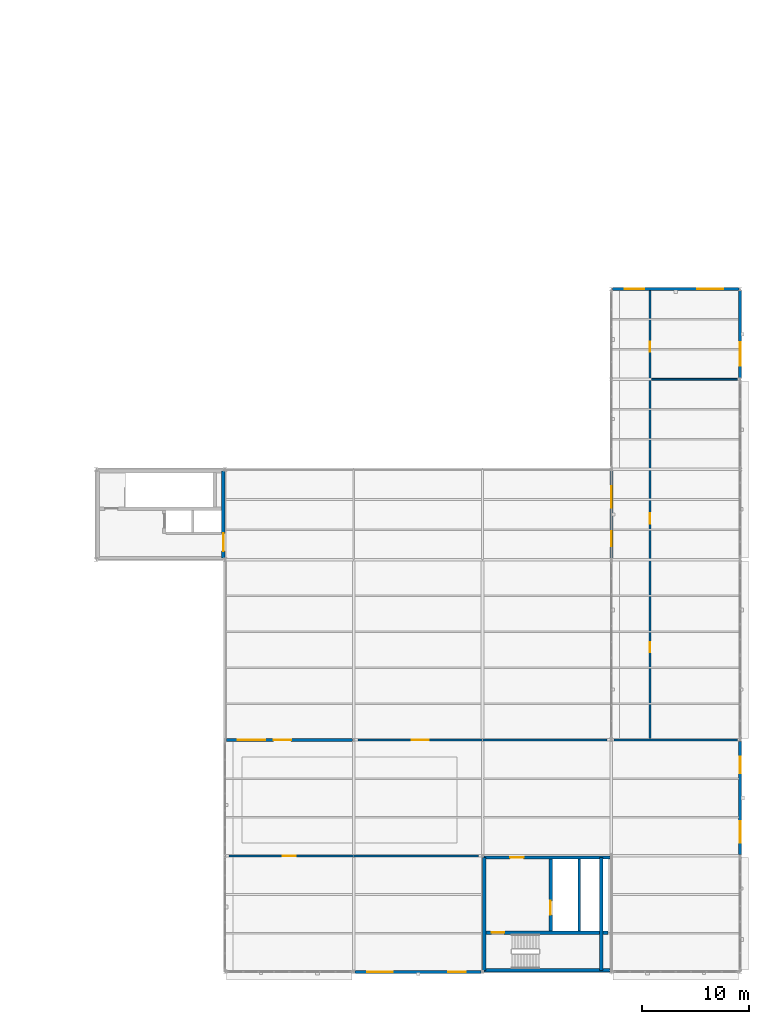
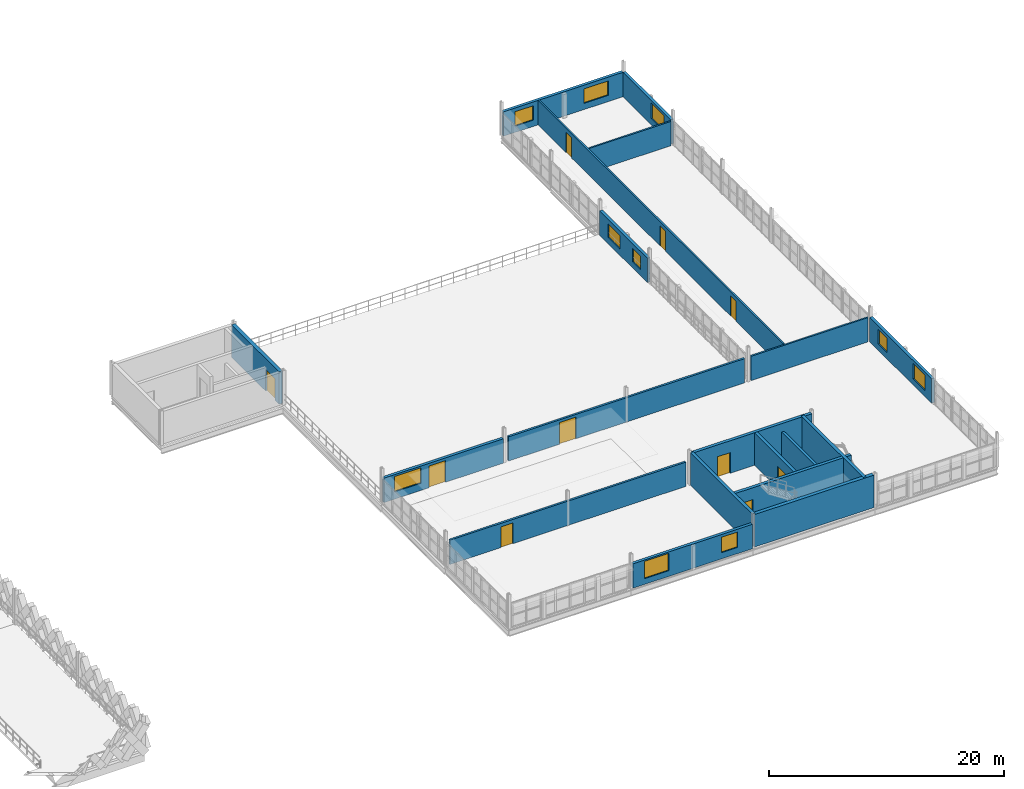
# One storey, part 62 of 74: 19 walls, 10 doors, 10 windows, 20 openings.
"""IFC4 building model written with IfcOpenShell, lengths in metres."""

from ifc_helpers import new_model, si_unit, direction, frame, frame_2d, origin, place, context, subcontext, project, spatial, rectangle, extrude, material, layer, layer_set, type_object, element, fill, save


model = new_model("IFC4")

# Units and contexts
model_context = context("Model", 3, precision=1e-05, world=origin(), true_north=direction((0.0, 1.0)))
body_context = subcontext(model_context, "Body", "Model", "MODEL_VIEW")
ifc_project = project(units=[si_unit("LENGTHUNIT", "METRE"), si_unit("AREAUNIT", "SQUARE_METRE"), si_unit("VOLUMEUNIT", "CUBIC_METRE"), si_unit("PLANEANGLEUNIT", "RADIAN"), si_unit("MASSUNIT", "GRAM", prefix="KILO"), si_unit("THERMODYNAMICTEMPERATUREUNIT", "KELVIN"), si_unit("POWERUNIT", "WATT")], contexts=[model_context])

# Site, building, storey
site_placement = place(None, origin())
site = spatial("IfcSite", under=ifc_project, at=site_placement, CompositionType="ELEMENT")
building_placement = place(site_placement, origin())
building = spatial("IfcBuilding", under=site, at=building_placement, Name="Tembeka Court Mobility Hub", CompositionType="ELEMENT")
storey_placement = place(building_placement, frame((0.0, 0.0, 12.60009765625)))
storey = spatial("IfcBuildingStorey", under=building, at=storey_placement, Name="L03", CompositionType="ELEMENT", Elevation=12.60009765625)

# Wall, openings, door, window
ifc_material_1 = material(Name="Precast concrete C45/55", Category="concrete")
ifc_layer_1 = layer(ifc_material_1, 0.280029296875)
ifc_layer_set_1 = layer_set([ifc_layer_1], Name="Precast concrete C45/55")
wall_type_1 = type_object("IfcWallType", Name="WL-EW02", PredefinedType="STANDARD", material=ifc_layer_set_1)
wall_1_placement = place(storey_placement, frame((128.52587890625, 21.60009765625, 0.0), z_axis=(0.0, 0.0, 1.0), x_axis=(1.0, 0.0, 0.0)))
wall_1 = element("IfcWall", 1, at=wall_1_placement, inside=storey, type_object=wall_type_1, Name="External wall EW02 (EW-L03-0099)", PredefinedType="STANDARD", context=body_context, shape_type="SweptSolid", body=[
    extrude(rectangle(XDim=11.748046875, YDim=0.280029296875, at=frame_2d((5.8740234375, 0.0))), origin(), (0.0, 0.0, 1.0), 2.534912109375),
])
opening_1_placement = place(wall_1_placement, frame((4.39990234375, 0.0, 0.0)))
opening_1 = element("IfcOpeningElement", 2, at=opening_1_placement, cuts=wall_1, Name="Opening ED02", PredefinedType="OPENING", context=body_context, shape_type="SweptSolid", body=[
    extrude(rectangle(XDim=1.64990234375, YDim=2.25, at=frame_2d((0.824951171875, 1.125))), frame((0.0, 0.14990234375, 0.0), z_axis=(0.0, -1.0, 0.0), x_axis=(1.0, 0.0, 0.0)), (0.0, 0.0, 1.0), 0.300048828125),
])
opening_2_placement = place(wall_1_placement, frame((1.050048828125, 0.0, 0.75)))
opening_2 = element("IfcOpeningElement", 3, at=opening_2_placement, cuts=wall_1, Name="Opening WN12", PredefinedType="OPENING", context=body_context, shape_type="SweptSolid", body=[
    extrude(rectangle(XDim=2.60009765625, YDim=1.60009765625, at=frame_2d((1.300048828125, 0.800048828125))), frame((0.0, 0.14990234375, 0.0), z_axis=(0.0, -1.0, 0.0), x_axis=(1.0, 0.0, 0.0)), (0.0, 0.0, 1.0), 0.300048828125),
])
ifc_material_2 = material(Name="Powder-coated aluminium glazed doorset", Category="aluminium")
door_type_1 = type_object("IfcDoorType", Name="DR-ED02", OperationType="NOTDEFINED", PredefinedType="DOOR", material=ifc_material_2)
door_1_placement = place(opening_1_placement, origin())
door_1 = element("IfcDoor", 4, at=door_1_placement, inside=storey, type_object=door_type_1, Name="L03 bicycle roof-garden terrace door ED02", OperationType="DOUBLE_DOOR_SINGLE_SWING", OverallHeight=2.25, OverallWidth=1.64990234375, PredefinedType="DOOR", context=body_context, shape_type="SweptSolid", body=[
    extrude(rectangle(XDim=1.64990234375, YDim=2.25, at=frame_2d((0.824951171875, 1.125))), frame((0.0, 0.02490234375, 0.0), z_axis=(0.0, -1.0, 0.0), x_axis=(1.0, 0.0, 0.0)), (0.0, 0.0, 1.0), 0.050048828125),
])
fill(opening_1, door_1)
ifc_material_3 = material(Name="Laminated solar-control low-E glass", Category="glass")
window_type_1 = type_object("IfcWindowType", Name="WN-W12", PartitioningType="SINGLE_PANEL", PredefinedType="WINDOW", material=ifc_material_3)
window_1_placement = place(opening_2_placement, origin())
window_1 = element("IfcWindow", 5, at=window_1_placement, inside=storey, type_object=window_type_1, Name="Window WN12-0043", OverallHeight=1.60009765625, OverallWidth=2.60009765625, PartitioningType="SINGLE_PANEL", PredefinedType="WINDOW", context=body_context, shape_type="SweptSolid", body=[
    extrude(rectangle(XDim=2.60009765625, YDim=1.60009765625, at=frame_2d((1.300048828125, 0.800048828125))), frame((0.0, 0.030029296875, 0.0), z_axis=(0.0, -1.0, 0.0), x_axis=(1.0, 0.0, 0.0)), (0.0, 0.0, 1.0), 0.06005859375),
])
fill(opening_2, window_1)

# Wall, openings, windows
wall_2_placement = place(storey_placement, frame((140.52587890625, 0.0, 0.0), z_axis=(0.0, 0.0, 1.0), x_axis=(1.0, 0.0, 0.0)))
wall_2 = element("IfcWall", 6, at=wall_2_placement, inside=storey, type_object=wall_type_1, Name="External wall EW02 (EW-L03-0100)", PredefinedType="STANDARD", context=body_context, shape_type="SweptSolid", body=[
    extrude(rectangle(XDim=11.748046875, YDim=0.280029296875, at=frame_2d((5.8740234375, 0.0))), origin(), (0.0, 0.0, 1.0), 2.534912109375),
])
opening_3_placement = place(wall_2_placement, frame((1.1201171875, 0.0, 0.594970703125)))
opening_3 = element("IfcOpeningElement", 7, at=opening_3_placement, cuts=wall_2, Name="Opening WN07", PredefinedType="OPENING", context=body_context, shape_type="SweptSolid", body=[
    extrude(rectangle(XDim=2.39990234375, YDim=1.800048828125, at=frame_2d((1.199951171875, 0.89990234375))), frame((0.0, 0.14990234375, 0.0), z_axis=(0.0, -1.0, 0.0), x_axis=(1.0, 0.0, 0.0)), (0.0, 0.0, 1.0), 0.300048828125),
])
opening_4_placement = place(wall_2_placement, frame((8.68994140625, 0.0, 0.64990234375)))
opening_4 = element("IfcOpeningElement", 8, at=opening_4_placement, cuts=wall_2, Name="Opening WN08", PredefinedType="OPENING", context=body_context, shape_type="SweptSolid", body=[
    extrude(rectangle(XDim=1.60009765625, YDim=1.60009765625, at=frame_2d((0.800048828125, 0.800048828125))), frame((0.0, 0.14990234375, 0.0), z_axis=(0.0, -1.0, 0.0), x_axis=(1.0, 0.0, 0.0)), (0.0, 0.0, 1.0), 0.300048828125),
])
window_type_2 = type_object("IfcWindowType", Name="WN-W07", PartitioningType="SINGLE_PANEL", PredefinedType="WINDOW", material=ifc_material_3)
window_2_placement = place(opening_3_placement, origin())
window_2 = element("IfcWindow", 9, at=window_2_placement, inside=storey, type_object=window_type_2, Name="Window WN07-0044", OverallHeight=1.800048828125, OverallWidth=2.39990234375, PartitioningType="SINGLE_PANEL", PredefinedType="WINDOW", context=body_context, shape_type="SweptSolid", body=[
    extrude(rectangle(XDim=2.39990234375, YDim=1.800048828125, at=frame_2d((1.199951171875, 0.89990234375))), frame((0.0, 0.030029296875, 0.0), z_axis=(0.0, -1.0, 0.0), x_axis=(1.0, 0.0, 0.0)), (0.0, 0.0, 1.0), 0.06005859375),
])
fill(opening_3, window_2)
window_type_3 = type_object("IfcWindowType", Name="WN-W08", PartitioningType="SINGLE_PANEL", PredefinedType="WINDOW", material=ifc_material_3)
window_3_placement = place(opening_4_placement, origin())
window_3 = element("IfcWindow", 10, at=window_3_placement, inside=storey, type_object=window_type_3, Name="Window WN08-0045", OverallHeight=1.60009765625, OverallWidth=1.60009765625, PartitioningType="SINGLE_PANEL", PredefinedType="WINDOW", context=body_context, shape_type="SweptSolid", body=[
    extrude(rectangle(XDim=1.60009765625, YDim=1.60009765625, at=frame_2d((0.800048828125, 0.800048828125))), frame((0.0, 0.030029296875, 0.0), z_axis=(0.0, -1.0, 0.0), x_axis=(1.0, 0.0, 0.0)), (0.0, 0.0, 1.0), 0.06005859375),
])
fill(opening_4, window_3)

wall_3_placement = place(storey_placement, frame((176.39990234375, 10.927978515625, 0.0), z_axis=(0.0, 0.0, 1.0), x_axis=(0.0, 1.0, 0.0)))
wall_3 = element("IfcWall", 11, at=wall_3_placement, inside=storey, type_object=wall_type_1, Name="External wall EW02 (EW-L03-0101)", PredefinedType="STANDARD", context=body_context, shape_type="SweptSolid", body=[
    extrude(rectangle(XDim=10.5439453125, YDim=0.280029296875, at=frame_2d((5.27197265625, 0.0))), origin(), (0.0, 0.0, 1.0), 2.534912109375),
])
opening_5_placement = place(wall_3_placement, frame((1.1201171875, 0.0, 0.64990234375)))
opening_5 = element("IfcOpeningElement", 12, at=opening_5_placement, cuts=wall_3, Name="Opening WN09", PredefinedType="OPENING", context=body_context, shape_type="SweptSolid", body=[
    extrude(rectangle(XDim=2.0, YDim=1.60009765625, at=frame_2d((1.0, 0.800048828125))), frame((0.0, 0.14990234375, 0.0), z_axis=(0.0, -1.0, 0.0), x_axis=(1.0, 0.0, 0.0)), (0.0, 0.0, 1.0), 0.300048828125),
])
opening_6_placement = place(wall_3_placement, frame((7.590087890625, 0.0, 0.64990234375)))
opening_6 = element("IfcOpeningElement", 13, at=opening_6_placement, cuts=wall_3, Name="Opening WN10", PredefinedType="OPENING", context=body_context, shape_type="SweptSolid", body=[
    extrude(rectangle(XDim=1.5, YDim=1.5, at=frame_2d((0.75, 0.75))), frame((0.0, 0.14990234375, 0.0), z_axis=(0.0, -1.0, 0.0), x_axis=(1.0, 0.0, 0.0)), (0.0, 0.0, 1.0), 0.300048828125),
])
window_type_4 = type_object("IfcWindowType", Name="WN-W09", PartitioningType="SINGLE_PANEL", PredefinedType="WINDOW", material=ifc_material_3)
window_4_placement = place(opening_5_placement, origin())
window_4 = element("IfcWindow", 14, at=window_4_placement, inside=storey, type_object=window_type_4, Name="Window WN09-0046", OverallHeight=1.60009765625, OverallWidth=2.0, PartitioningType="SINGLE_PANEL", PredefinedType="WINDOW", context=body_context, shape_type="SweptSolid", body=[
    extrude(rectangle(XDim=2.0, YDim=1.60009765625, at=frame_2d((1.0, 0.800048828125))), frame((0.0, 0.030029296875, 0.0), z_axis=(0.0, -1.0, 0.0), x_axis=(1.0, 0.0, 0.0)), (0.0, 0.0, 1.0), 0.06005859375),
])
fill(opening_5, window_4)
window_type_5 = type_object("IfcWindowType", Name="WN-W10", PartitioningType="SINGLE_PANEL", PredefinedType="WINDOW", material=ifc_material_3)
window_5_placement = place(opening_6_placement, origin())
window_5 = element("IfcWindow", 15, at=window_5_placement, inside=storey, type_object=window_type_5, Name="Window WN10-0047", OverallHeight=1.5, OverallWidth=1.5, PartitioningType="SINGLE_PANEL", PredefinedType="WINDOW", context=body_context, shape_type="SweptSolid", body=[
    extrude(rectangle(XDim=1.5, YDim=1.5, at=frame_2d((0.75, 0.75))), frame((0.0, 0.030029296875, 0.0), z_axis=(0.0, -1.0, 0.0), x_axis=(1.0, 0.0, 0.0)), (0.0, 0.0, 1.0), 0.06005859375),
])
fill(opening_6, window_5)

# Wall, opening, window
wall_4_placement = place(storey_placement, frame((176.39990234375, 55.327880859375, 0.0), z_axis=(0.0, 0.0, 1.0), x_axis=(0.0, 1.0, 0.0)))
wall_4 = element("IfcWall", 16, at=wall_4_placement, inside=storey, type_object=wall_type_1, Name="External wall EW02 (EW-L03-0102)", PredefinedType="STANDARD", context=body_context, shape_type="SweptSolid", body=[
    extrude(rectangle(XDim=8.14404296875, YDim=0.280029296875, at=frame_2d((4.072021484375, 0.0))), origin(), (0.0, 0.0, 1.0), 2.534912109375),
])
opening_7_placement = place(wall_4_placement, frame((1.1201171875, 0.0, 0.64990234375)))
opening_7 = element("IfcOpeningElement", 17, at=opening_7_placement, cuts=wall_4, Name="Opening WN11", PredefinedType="OPENING", context=body_context, shape_type="SweptSolid", body=[
    extrude(rectangle(XDim=2.199951171875, YDim=1.60009765625, at=frame_2d((1.10009765625, 0.800048828125))), frame((0.0, 0.14990234375, 0.0), z_axis=(0.0, -1.0, 0.0), x_axis=(1.0, 0.0, 0.0)), (0.0, 0.0, 1.0), 0.300048828125),
])
window_type_6 = type_object("IfcWindowType", Name="WN-W11", PartitioningType="SINGLE_PANEL", PredefinedType="WINDOW", material=ifc_material_3)
window_6_placement = place(opening_7_placement, origin())
window_6 = element("IfcWindow", 18, at=window_6_placement, inside=storey, type_object=window_type_6, Name="Window WN11-0048", OverallHeight=1.60009765625, OverallWidth=2.199951171875, PartitioningType="SINGLE_PANEL", PredefinedType="WINDOW", context=body_context, shape_type="SweptSolid", body=[
    extrude(rectangle(XDim=2.199951171875, YDim=1.60009765625, at=frame_2d((1.10009765625, 0.800048828125))), frame((0.0, 0.030029296875, 0.0), z_axis=(0.0, -1.0, 0.0), x_axis=(1.0, 0.0, 0.0)), (0.0, 0.0, 1.0), 0.06005859375),
])
fill(opening_7, window_6)

# Wall, openings, windows
wall_5_placement = place(storey_placement, frame((164.52587890625, 63.60009765625, 0.0), z_axis=(0.0, 0.0, 1.0), x_axis=(1.0, 0.0, 0.0)))
wall_5 = element("IfcWall", 19, at=wall_5_placement, inside=storey, type_object=wall_type_1, Name="External wall EW02 (EW-L03-0103)", PredefinedType="STANDARD", context=body_context, shape_type="SweptSolid", body=[
    extrude(rectangle(XDim=11.748046875, YDim=0.280029296875, at=frame_2d((5.8740234375, 0.0))), origin(), (0.0, 0.0, 1.0), 2.534912109375),
])
opening_8_placement = place(wall_5_placement, frame((1.1201171875, 0.0, 0.64990234375)))
opening_8 = element("IfcOpeningElement", 20, at=opening_8_placement, cuts=wall_5, Name="Opening WN13", PredefinedType="OPENING", context=body_context, shape_type="SweptSolid", body=[
    extrude(rectangle(XDim=1.800048828125, YDim=1.5, at=frame_2d((0.89990234375, 0.75))), frame((0.0, 0.14990234375, 0.0), z_axis=(0.0, -1.0, 0.0), x_axis=(1.0, 0.0, 0.0)), (0.0, 0.0, 1.0), 0.300048828125),
])
opening_9_placement = place(wall_5_placement, frame((7.889892578125, 0.0, 0.64990234375)))
opening_9 = element("IfcOpeningElement", 21, at=opening_9_placement, cuts=wall_5, Name="Opening WN14", PredefinedType="OPENING", context=body_context, shape_type="SweptSolid", body=[
    extrude(rectangle(XDim=2.39990234375, YDim=1.5, at=frame_2d((1.199951171875, 0.75))), frame((0.0, 0.14990234375, 0.0), z_axis=(0.0, -1.0, 0.0), x_axis=(1.0, 0.0, 0.0)), (0.0, 0.0, 1.0), 0.300048828125),
])
window_type_7 = type_object("IfcWindowType", Name="WN-W13", PartitioningType="SINGLE_PANEL", PredefinedType="WINDOW", material=ifc_material_3)
window_7_placement = place(opening_8_placement, origin())
window_7 = element("IfcWindow", 22, at=window_7_placement, inside=storey, type_object=window_type_7, Name="Window WN13-0049", OverallHeight=1.5, OverallWidth=1.800048828125, PartitioningType="SINGLE_PANEL", PredefinedType="WINDOW", context=body_context, shape_type="SweptSolid", body=[
    extrude(rectangle(XDim=1.800048828125, YDim=1.5, at=frame_2d((0.89990234375, 0.75))), frame((0.0, 0.030029296875, 0.0), z_axis=(0.0, -1.0, 0.0), x_axis=(1.0, 0.0, 0.0)), (0.0, 0.0, 1.0), 0.06005859375),
])
fill(opening_8, window_7)
window_type_8 = type_object("IfcWindowType", Name="WN-W14", PartitioningType="SINGLE_PANEL", PredefinedType="WINDOW", material=ifc_material_3)
window_8_placement = place(opening_9_placement, origin())
window_8 = element("IfcWindow", 23, at=window_8_placement, inside=storey, type_object=window_type_8, Name="Window WN14-0050", OverallHeight=1.5, OverallWidth=2.39990234375, PartitioningType="SINGLE_PANEL", PredefinedType="WINDOW", context=body_context, shape_type="SweptSolid", body=[
    extrude(rectangle(XDim=2.39990234375, YDim=1.5, at=frame_2d((1.199951171875, 0.75))), frame((0.0, 0.030029296875, 0.0), z_axis=(0.0, -1.0, 0.0), x_axis=(1.0, 0.0, 0.0)), (0.0, 0.0, 1.0), 0.06005859375),
])
fill(opening_9, window_8)

wall_6_placement = place(storey_placement, frame((164.39990234375, 38.528076171875, 0.0), z_axis=(0.0, 0.0, 1.0), x_axis=(0.0, 1.0, 0.0)))
wall_6 = element("IfcWall", 24, at=wall_6_placement, inside=storey, type_object=wall_type_1, Name="External wall EW02 (EW-L03-0104)", PredefinedType="STANDARD", context=body_context, shape_type="SweptSolid", body=[
    extrude(rectangle(XDim=8.14404296875, YDim=0.280029296875, at=frame_2d((4.072021484375, 0.0))), origin(), (0.0, 0.0, 1.0), 2.534912109375),
])
opening_10_placement = place(wall_6_placement, frame((1.1201171875, 0.0, 0.64990234375)))
opening_10 = element("IfcOpeningElement", 25, at=opening_10_placement, cuts=wall_6, Name="Opening WN15", PredefinedType="OPENING", context=body_context, shape_type="SweptSolid", body=[
    extrude(rectangle(XDim=1.39990234375, YDim=1.39990234375, at=frame_2d((0.699951171875, 0.699951171875))), frame((0.0, 0.14990234375, 0.0), z_axis=(0.0, -1.0, 0.0), x_axis=(1.0, 0.0, 0.0)), (0.0, 0.0, 1.0), 0.300048828125),
])
opening_11_placement = place(wall_6_placement, frame((4.68994140625, 0.0, 0.64990234375)))
opening_11 = element("IfcOpeningElement", 26, at=opening_11_placement, cuts=wall_6, Name="Opening WN16", PredefinedType="OPENING", context=body_context, shape_type="SweptSolid", body=[
    extrude(rectangle(XDim=2.0, YDim=1.39990234375, at=frame_2d((1.0, 0.699951171875))), frame((0.0, 0.14990234375, 0.0), z_axis=(0.0, -1.0, 0.0), x_axis=(1.0, 0.0, 0.0)), (0.0, 0.0, 1.0), 0.300048828125),
])
window_type_9 = type_object("IfcWindowType", Name="WN-W15", PartitioningType="SINGLE_PANEL", PredefinedType="WINDOW", material=ifc_material_3)
window_9_placement = place(opening_10_placement, origin())
window_9 = element("IfcWindow", 27, at=window_9_placement, inside=storey, type_object=window_type_9, Name="Window WN15-0051", OverallHeight=1.39990234375, OverallWidth=1.39990234375, PartitioningType="SINGLE_PANEL", PredefinedType="WINDOW", context=body_context, shape_type="SweptSolid", body=[
    extrude(rectangle(XDim=1.39990234375, YDim=1.39990234375, at=frame_2d((0.699951171875, 0.699951171875))), frame((0.0, 0.030029296875, 0.0), z_axis=(0.0, -1.0, 0.0), x_axis=(1.0, 0.0, 0.0)), (0.0, 0.0, 1.0), 0.06005859375),
])
fill(opening_10, window_9)
window_type_10 = type_object("IfcWindowType", Name="WN-W16", PartitioningType="SINGLE_PANEL", PredefinedType="WINDOW", material=ifc_material_3)
window_10_placement = place(opening_11_placement, origin())
window_10 = element("IfcWindow", 28, at=window_10_placement, inside=storey, type_object=window_type_10, Name="Window WN16-0052", OverallHeight=1.39990234375, OverallWidth=2.0, PartitioningType="SINGLE_PANEL", PredefinedType="WINDOW", context=body_context, shape_type="SweptSolid", body=[
    extrude(rectangle(XDim=2.0, YDim=1.39990234375, at=frame_2d((1.0, 0.699951171875))), frame((0.0, 0.030029296875, 0.0), z_axis=(0.0, -1.0, 0.0), x_axis=(1.0, 0.0, 0.0)), (0.0, 0.0, 1.0), 0.06005859375),
])
fill(opening_11, window_10)

# Wall
ifc_material_4 = material(Name="Concrete C40/50", Category="concrete")
ifc_layer_2 = layer(ifc_material_4, 0.25)
ifc_layer_set_2 = layer_set([ifc_layer_2], Name="Concrete C40/50")
wall_type_2 = type_object("IfcWallType", Name="WL-IW01", PredefinedType="PARTITIONING", material=ifc_layer_set_2)
wall_7_placement = place(storey_placement, frame((161.39990234375, 3.800048828125, 0.0), z_axis=(0.0, 0.0, 1.0), x_axis=(0.0, 1.0, 0.0)))
element("IfcWall", 29, at=wall_7_placement, inside=storey, type_object=wall_type_2, Name="Wall IW01 (IW-L03-0328)", PredefinedType="PARTITIONING", context=body_context, shape_type="SweptSolid", body=[
    extrude(rectangle(XDim=6.699951171875, YDim=0.25, at=frame_2d((3.35009765625, 0.0))), origin(), (0.0, 0.0, 1.0), 2.52490234375),
])

# Wall, opening, door
ifc_material_5 = material(Name="Concrete blockwork masonry", Category="masonry")
ifc_layer_3 = layer(ifc_material_5, 0.199951171875)
ifc_layer_set_3 = layer_set([ifc_layer_3], Name="Concrete blockwork masonry")
wall_type_3 = type_object("IfcWallType", Name="WL-IW02", PredefinedType="PARTITIONING", material=ifc_layer_set_3)
wall_8_placement = place(storey_placement, frame((128.800048828125, 10.800048828125, 0.0), z_axis=(0.0, 0.0, 1.0), x_axis=(1.0, 0.0, 0.0)))
wall_8 = element("IfcWall", 30, at=wall_8_placement, inside=storey, type_object=wall_type_3, Name="Wall IW02 (IW-L03-0472)", PredefinedType="PARTITIONING", context=body_context, shape_type="SweptSolid", body=[
    extrude(rectangle(XDim=23.199951171875, YDim=0.199951171875, at=frame_2d((11.60009765625, 0.0))), origin(), (0.0, 0.0, 1.0), 2.52490234375),
])
opening_12_placement = place(wall_8_placement, frame((5.0, 0.0, 0.0)))
opening_12 = element("IfcOpeningElement", 31, at=opening_12_placement, cuts=wall_8, Name="Opening ID04", PredefinedType="OPENING", context=body_context, shape_type="SweptSolid", body=[
    extrude(rectangle(XDim=1.199951171875, YDim=2.14990234375, at=frame_2d((0.60009765625, 1.074951171875))), frame((0.0, 0.10986328125, 0.0), z_axis=(0.0, -1.0, 0.0), x_axis=(1.0, 0.0, 0.0)), (0.0, 0.0, 1.0), 0.219970703125),
])
door_type_2 = type_object("IfcDoorType", Name="DR-ID04", OperationType="NOTDEFINED", PredefinedType="DOOR", material=ifc_material_2)
door_2_placement = place(opening_12_placement, origin())
door_2 = element("IfcDoor", 32, at=door_2_placement, inside=storey, type_object=door_type_2, Name="Door ID04-0243", OperationType="SINGLE_SWING_RIGHT", OverallHeight=2.14990234375, OverallWidth=1.199951171875, PredefinedType="DOOR", context=body_context, shape_type="SweptSolid", body=[
    extrude(rectangle(XDim=1.199951171875, YDim=2.14990234375, at=frame_2d((0.60009765625, 1.074951171875))), frame((0.0, 0.02490234375, 0.0), z_axis=(0.0, -1.0, 0.0), x_axis=(1.0, 0.0, 0.0)), (0.0, 0.0, 1.0), 0.050048828125),
])
fill(opening_12, door_2)

wall_9_placement = place(storey_placement, frame((140.800048828125, 21.60009765625, 0.0), z_axis=(0.0, 0.0, 1.0), x_axis=(1.0, 0.0, 0.0)))
wall_9 = element("IfcWall", 33, at=wall_9_placement, inside=storey, type_object=wall_type_3, Name="Wall IW02 (IW-L03-0473)", PredefinedType="PARTITIONING", context=body_context, shape_type="SweptSolid", body=[
    extrude(rectangle(XDim=23.199951171875, YDim=0.199951171875, at=frame_2d((11.60009765625, 0.0))), origin(), (0.0, 0.0, 1.0), 2.52490234375),
])
opening_13_placement = place(wall_9_placement, frame((5.0, 0.0, 0.0)))
opening_13 = element("IfcOpeningElement", 34, at=opening_13_placement, cuts=wall_9, Name="Opening ID05", PredefinedType="OPENING", context=body_context, shape_type="SweptSolid", body=[
    extrude(rectangle(XDim=1.60009765625, YDim=2.25, at=frame_2d((0.800048828125, 1.125))), frame((0.0, 0.10986328125, 0.0), z_axis=(0.0, -1.0, 0.0), x_axis=(1.0, 0.0, 0.0)), (0.0, 0.0, 1.0), 0.219970703125),
])
door_type_3 = type_object("IfcDoorType", Name="DR-ID05", OperationType="NOTDEFINED", PredefinedType="DOOR", material=ifc_material_2)
door_3_placement = place(opening_13_placement, origin())
door_3 = element("IfcDoor", 35, at=door_3_placement, inside=storey, type_object=door_type_3, Name="Door ID05-0244", OperationType="DOUBLE_DOOR_SINGLE_SWING", OverallHeight=2.25, OverallWidth=1.60009765625, PredefinedType="DOOR", context=body_context, shape_type="SweptSolid", body=[
    extrude(rectangle(XDim=1.60009765625, YDim=2.25, at=frame_2d((0.800048828125, 1.125))), frame((0.0, 0.02490234375, 0.0), z_axis=(0.0, -1.0, 0.0), x_axis=(1.0, 0.0, 0.0)), (0.0, 0.0, 1.0), 0.050048828125),
])
fill(opening_13, door_3)

# Wall, openings, doors
ifc_material_6 = material(Name="Acoustic metal-stud gypsum partition", Category="masonry")
ifc_layer_4 = layer(ifc_material_6, 0.159912109375)
ifc_layer_set_4 = layer_set([ifc_layer_4], Name="Acoustic metal-stud gypsum partition")
wall_type_4 = type_object("IfcWallType", Name="WL-IW04", PredefinedType="PARTITIONING", material=ifc_layer_set_4)
wall_10_placement = place(storey_placement, frame((168.0, 21.75, 0.0), z_axis=(0.0, 0.0, 1.0), x_axis=(0.0, 1.0, 0.0)))
wall_10 = element("IfcWall", 36, at=wall_10_placement, inside=storey, type_object=wall_type_4, Name="Wall IW04 (IW-L03-0469)", PredefinedType="PARTITIONING", context=body_context, shape_type="SweptSolid", body=[
    extrude(rectangle(XDim=41.699951171875, YDim=0.159912109375, at=frame_2d((20.85009765625, 0.0))), origin(), (0.0, 0.0, 1.0), 2.52490234375),
])
opening_14_placement = place(wall_10_placement, frame((8.0, 0.0, 0.0)))
opening_14 = element("IfcOpeningElement", 37, at=opening_14_placement, cuts=wall_10, Name="Opening ID01", PredefinedType="OPENING", context=body_context, shape_type="SweptSolid", body=[
    extrude(rectangle(XDim=0.949951171875, YDim=2.10009765625, at=frame_2d((0.47509765625, 1.050048828125))), frame((0.0, 0.08984375, 0.0), z_axis=(0.0, -1.0, 0.0), x_axis=(1.0, 0.0, 0.0)), (0.0, 0.0, 1.0), 0.179931640625),
])
opening_15_placement = place(wall_10_placement, frame((20.0, 0.0, 0.0)))
opening_15 = element("IfcOpeningElement", 38, at=opening_15_placement, cuts=wall_10, Name="Opening ID01", PredefinedType="OPENING", context=body_context, shape_type="SweptSolid", body=[
    extrude(rectangle(XDim=0.949951171875, YDim=2.10009765625, at=frame_2d((0.47509765625, 1.050048828125))), frame((0.0, 0.08984375, 0.0), z_axis=(0.0, -1.0, 0.0), x_axis=(1.0, 0.0, 0.0)), (0.0, 0.0, 1.0), 0.179931640625),
])
opening_16_placement = place(wall_10_placement, frame((36.0, 0.0, 0.0)))
opening_16 = element("IfcOpeningElement", 39, at=opening_16_placement, cuts=wall_10, Name="Opening ID01", PredefinedType="OPENING", context=body_context, shape_type="SweptSolid", body=[
    extrude(rectangle(XDim=0.949951171875, YDim=2.10009765625, at=frame_2d((0.47509765625, 1.050048828125))), frame((0.0, 0.08984375, 0.0), z_axis=(0.0, -1.0, 0.0), x_axis=(1.0, 0.0, 0.0)), (0.0, 0.0, 1.0), 0.179931640625),
])
door_type_4 = type_object("IfcDoorType", Name="DR-ID01", OperationType="NOTDEFINED", PredefinedType="DOOR", material=ifc_material_2)
door_4_placement = place(opening_14_placement, origin())
door_4 = element("IfcDoor", 40, at=door_4_placement, inside=storey, type_object=door_type_4, Name="Door ID01-0240", OperationType="SINGLE_SWING_LEFT", OverallHeight=2.10009765625, OverallWidth=0.949951171875, PredefinedType="DOOR", context=body_context, shape_type="SweptSolid", body=[
    extrude(rectangle(XDim=0.949951171875, YDim=2.10009765625, at=frame_2d((0.47509765625, 1.050048828125))), frame((0.0, 0.02490234375, 0.0), z_axis=(0.0, -1.0, 0.0), x_axis=(1.0, 0.0, 0.0)), (0.0, 0.0, 1.0), 0.050048828125),
])
fill(opening_14, door_4)
door_5_placement = place(opening_15_placement, origin())
door_5 = element("IfcDoor", 41, at=door_5_placement, inside=storey, type_object=door_type_4, Name="Door ID01-0241", OperationType="SINGLE_SWING_RIGHT", OverallHeight=2.10009765625, OverallWidth=0.949951171875, PredefinedType="DOOR", context=body_context, shape_type="SweptSolid", body=[
    extrude(rectangle(XDim=0.949951171875, YDim=2.10009765625, at=frame_2d((0.47509765625, 1.050048828125))), frame((0.0, 0.02490234375, 0.0), z_axis=(0.0, -1.0, 0.0), x_axis=(1.0, 0.0, 0.0)), (0.0, 0.0, 1.0), 0.050048828125),
])
fill(opening_15, door_5)
door_6_placement = place(opening_16_placement, origin())
door_6 = element("IfcDoor", 42, at=door_6_placement, inside=storey, type_object=door_type_4, Name="Door ID01-0242", OperationType="SINGLE_SWING_LEFT", OverallHeight=2.10009765625, OverallWidth=0.949951171875, PredefinedType="DOOR", context=body_context, shape_type="SweptSolid", body=[
    extrude(rectangle(XDim=0.949951171875, YDim=2.10009765625, at=frame_2d((0.47509765625, 1.050048828125))), frame((0.0, 0.02490234375, 0.0), z_axis=(0.0, -1.0, 0.0), x_axis=(1.0, 0.0, 0.0)), (0.0, 0.0, 1.0), 0.050048828125),
])
fill(opening_16, door_6)

# Walls
wall_11_placement = place(storey_placement, frame((164.64990234375, 21.60009765625, 0.0), z_axis=(0.0, 0.0, 1.0), x_axis=(1.0, 0.0, 0.0)))
element("IfcWall", 43, at=wall_11_placement, inside=storey, type_object=wall_type_4, Name="Wall IW04 (IW-L03-0470)", PredefinedType="PARTITIONING", context=body_context, shape_type="SweptSolid", body=[
    extrude(rectangle(XDim=11.5, YDim=0.159912109375, at=frame_2d((5.75, 0.0))), origin(), (0.0, 0.0, 1.0), 2.52490234375),
])
wall_12_placement = place(storey_placement, frame((168.14990234375, 55.199951171875, 0.0), z_axis=(0.0, 0.0, 1.0), x_axis=(1.0, 0.0, 0.0)))
element("IfcWall", 44, at=wall_12_placement, inside=storey, type_object=wall_type_4, Name="Wall IW04 (IW-L03-0471)", PredefinedType="PARTITIONING", context=body_context, shape_type="SweptSolid", body=[
    extrude(rectangle(XDim=8.0, YDim=0.159912109375, at=frame_2d((4.0, 0.0))), origin(), (0.0, 0.0, 1.0), 2.52490234375),
])

# Wall, opening, door
ifc_layer_5 = layer(ifc_material_4, 0.300048828125)
ifc_layer_set_5 = layer_set([ifc_layer_5], Name="Concrete C40/50")
wall_type_5 = type_object("IfcWallType", Name="WL-SW01", PredefinedType="SHEAR", material=ifc_layer_set_5)
wall_13_placement = place(storey_placement, frame((152.52587890625, 10.64990234375, 0.0), z_axis=(0.0, 0.0, 1.0), x_axis=(1.0, 0.0, 0.0)))
wall_13 = element("IfcWall", 45, at=wall_13_placement, inside=storey, type_object=wall_type_5, Name="Wall SW01 (IW-L03-0323)", PredefinedType="SHEAR", context=body_context, shape_type="SweptSolid", body=[
    extrude(rectangle(XDim=11.748046875, YDim=0.300048828125, at=frame_2d((5.8740234375, 0.0))), origin(), (0.0, 0.0, 1.0), 3.3798828125),
])
opening_17_placement = place(wall_13_placement, frame((2.4541015625, 0.0, 0.0)))
opening_17 = element("IfcOpeningElement", 46, at=opening_17_placement, cuts=wall_13, Name="Opening FD01", PredefinedType="OPENING", context=body_context, shape_type="SweptSolid", body=[
    extrude(rectangle(XDim=1.25, YDim=2.14990234375, at=frame_2d((0.625, 1.074951171875))), frame((0.0, 0.16015625, 0.0), z_axis=(0.0, -1.0, 0.0), x_axis=(1.0, 0.0, 0.0)), (0.0, 0.0, 1.0), 0.320068359375),
])
ifc_material_7 = material(Name="Galvanised steel fire/shutter doorset", Category="steel")
door_type_5 = type_object("IfcDoorType", Name="DR-FD01", OperationType="NOTDEFINED", PredefinedType="DOOR", material=ifc_material_7)
door_7_placement = place(opening_17_placement, origin())
door_7 = element("IfcDoor", 47, at=door_7_placement, inside=storey, type_object=door_type_5, Name="Door FD01-0143", OperationType="SINGLE_SWING_LEFT", OverallHeight=2.14990234375, OverallWidth=1.25, PredefinedType="DOOR", context=body_context, shape_type="SweptSolid", body=[
    extrude(rectangle(XDim=1.25, YDim=2.14990234375, at=frame_2d((0.625, 1.074951171875))), frame((0.0, 0.02490234375, 0.0), z_axis=(0.0, -1.0, 0.0), x_axis=(1.0, 0.0, 0.0)), (0.0, 0.0, 1.0), 0.050048828125),
])
fill(opening_17, door_7)

# Walls
for number, where, z_axis, x_axis, name in (
    (48, (152.550048828125, 0.1279296875, 0.0), (0.0, 0.0, 1.0), (0.0, 1.0, 0.0), "Wall SW01 (IW-L03-0324)"),
    (49, (163.449951171875, 0.1279296875, 0.0), (0.0, 0.0, 1.0), (0.0, 1.0, 0.0), "Wall SW01 (IW-L03-0325)"),
):
    element("IfcWall", number, at=place(storey_placement, frame(where, z_axis=z_axis, x_axis=x_axis)), inside=storey, type_object=wall_type_5, Name=name, PredefinedType="SHEAR", context=body_context, shape_type="SweptSolid", body=[
        extrude(rectangle(XDim=10.544189453125, YDim=0.300048828125, at=frame_2d((5.27197265625, 0.0))), origin(), (0.0, 0.0, 1.0), 3.3798828125),
    ])

# Wall, opening, door
wall_14_placement = place(storey_placement, frame((152.699951171875, 3.64990234375, 0.0), z_axis=(0.0, 0.0, 1.0), x_axis=(1.0, 0.0, 0.0)))
wall_14 = element("IfcWall", 50, at=wall_14_placement, inside=storey, type_object=wall_type_5, Name="Wall SW01 (IW-L03-0326)", PredefinedType="SHEAR", context=body_context, shape_type="SweptSolid", body=[
    extrude(rectangle(XDim=11.400146484375, YDim=0.300048828125, at=frame_2d((5.7001953125, 0.0))), origin(), (0.0, 0.0, 1.0), 3.3798828125),
])
opening_18_placement = place(wall_14_placement, frame((0.550048828125, 0.0, 0.0)))
opening_18 = element("IfcOpeningElement", 51, at=opening_18_placement, cuts=wall_14, Name="Opening FD03", PredefinedType="OPENING", context=body_context, shape_type="SweptSolid", body=[
    extrude(rectangle(XDim=1.14990234375, YDim=2.14990234375, at=frame_2d((0.574951171875, 1.074951171875))), frame((0.0, 0.16015625, 0.0), z_axis=(0.0, -1.0, 0.0), x_axis=(1.0, 0.0, 0.0)), (0.0, 0.0, 1.0), 0.320068359375),
])
door_type_6 = type_object("IfcDoorType", Name="DR-FD03", OperationType="NOTDEFINED", PredefinedType="DOOR", material=ifc_material_7)
door_8_placement = place(opening_18_placement, origin())
door_8 = element("IfcDoor", 52, at=door_8_placement, inside=storey, type_object=door_type_6, Name="Door FD03-0144", OperationType="SINGLE_SWING_LEFT", OverallHeight=2.14990234375, OverallWidth=1.14990234375, PredefinedType="DOOR", context=body_context, shape_type="SweptSolid", body=[
    extrude(rectangle(XDim=1.14990234375, YDim=2.14990234375, at=frame_2d((0.574951171875, 1.074951171875))), frame((0.0, 0.02490234375, 0.0), z_axis=(0.0, -1.0, 0.0), x_axis=(1.0, 0.0, 0.0)), (0.0, 0.0, 1.0), 0.050048828125),
])
fill(opening_18, door_8)

wall_15_placement = place(storey_placement, frame((158.75, 3.800048828125, 0.0), z_axis=(0.0, 0.0, 1.0), x_axis=(0.0, 1.0, 0.0)))
wall_15 = element("IfcWall", 53, at=wall_15_placement, inside=storey, type_object=wall_type_5, Name="Wall SW01 (IW-L03-0327)", PredefinedType="SHEAR", context=body_context, shape_type="SweptSolid", body=[
    extrude(rectangle(XDim=6.699951171875, YDim=0.300048828125, at=frame_2d((3.35009765625, 0.0))), origin(), (0.0, 0.0, 1.0), 3.3798828125),
])
opening_19_placement = place(wall_15_placement, frame((1.5, 0.0, 0.0)))
opening_19 = element("IfcOpeningElement", 54, at=opening_19_placement, cuts=wall_15, Name="Opening LD02", PredefinedType="OPENING", context=body_context, shape_type="SweptSolid", body=[
    extrude(rectangle(XDim=1.300048828125, YDim=2.300048828125, at=frame_2d((0.64990234375, 1.14990234375))), frame((0.0, 0.16015625, 0.0), z_axis=(0.0, -1.0, 0.0), x_axis=(1.0, 0.0, 0.0)), (0.0, 0.0, 1.0), 0.320068359375),
])
door_type_7 = type_object("IfcDoorType", Name="DR-LD02", OperationType="SLIDING_TO_LEFT", PredefinedType="DOOR", material=ifc_material_7)
door_9_placement = place(opening_19_placement, origin())
door_9 = element("IfcDoor", 55, at=door_9_placement, inside=storey, type_object=door_type_7, Name="Lift LF08 landing door L03", OperationType="SLIDING_TO_LEFT", OverallHeight=2.300048828125, OverallWidth=1.300048828125, PredefinedType="DOOR", context=body_context, shape_type="SweptSolid", body=[
    extrude(rectangle(XDim=1.300048828125, YDim=2.300048828125, at=frame_2d((0.64990234375, 1.14990234375))), frame((0.0, 0.02490234375, 0.0), z_axis=(0.0, -1.0, 0.0), x_axis=(1.0, 0.0, 0.0)), (0.0, 0.0, 1.0), 0.050048828125),
])
fill(opening_19, door_9)

ifc_layer_6 = layer(ifc_material_4, 0.35009765625)
ifc_layer_set_6 = layer_set([ifc_layer_6], Name="Concrete C40/50")
wall_type_6 = type_object("IfcWallType", Name="WL-SW02", PredefinedType="SHEAR", material=ifc_layer_set_6)
wall_16_placement = place(storey_placement, frame((128.25, 38.55859375, 0.0), z_axis=(0.0, 0.0, 1.0), x_axis=(0.0, 1.0, 0.0)))
wall_16 = element("IfcWall", 56, at=wall_16_placement, inside=storey, type_object=wall_type_6, Name="Wall SW02 (IW-L03-0288)", PredefinedType="SHEAR", context=body_context, shape_type="SweptSolid", body=[
    extrude(rectangle(XDim=8.0830078125, YDim=0.35009765625, at=frame_2d((4.04150390625, 0.0))), origin(), (0.0, 0.0, 1.0), 3.3798828125),
])
opening_20_placement = place(wall_16_placement, frame((0.6416015625, 0.0, 0.0)))
opening_20 = element("IfcOpeningElement", 57, at=opening_20_placement, cuts=wall_16, Name="Opening ED02", PredefinedType="OPENING", context=body_context, shape_type="SweptSolid", body=[
    extrude(rectangle(XDim=1.64990234375, YDim=2.25, at=frame_2d((0.824951171875, 1.125))), frame((0.0, 0.18505859375, 0.0), z_axis=(0.0, -1.0, 0.0), x_axis=(1.0, 0.0, 0.0)), (0.0, 0.0, 1.0), 0.3701171875),
])
door_10_placement = place(opening_20_placement, frame((1.64990234375, 0.0, 0.0), z_axis=(0.0, 0.0, 1.0), x_axis=(-1.0, 0.0, 0.0)))
door_10 = element("IfcDoor", 58, at=door_10_placement, inside=storey, type_object=door_type_1, Name="L03 K5 lobby roof-garden door ED02", OperationType="DOUBLE_DOOR_SINGLE_SWING", OverallHeight=2.25, OverallWidth=1.64990234375, PredefinedType="DOOR", context=body_context, shape_type="SweptSolid", body=[
    extrude(rectangle(XDim=1.64990234375, YDim=2.25, at=frame_2d((0.824951171875, 1.125))), frame((0.0, 0.02490234375, 0.0), z_axis=(0.0, -1.0, 0.0), x_axis=(1.0, 0.0, 0.0)), (0.0, 0.0, 1.0), 0.050048828125),
])
fill(opening_20, door_10)

# Wall
wall_17_placement = place(storey_placement, frame((152.52587890625, 0.14990234375, 0.0), z_axis=(0.0, 0.0, 1.0), x_axis=(1.0, 0.0, 0.0)))
element("IfcWall", 59, at=wall_17_placement, inside=storey, type_object=wall_type_6, Name="Wall SW02 (IW-L03-0322)", PredefinedType="SHEAR", context=body_context, shape_type="SweptSolid", body=[
    extrude(rectangle(XDim=11.748046875, YDim=0.35009765625, at=frame_2d((5.8740234375, 0.0))), origin(), (0.0, 0.0, 1.0), 3.3798828125),
])

save(model, "model.ifc")
